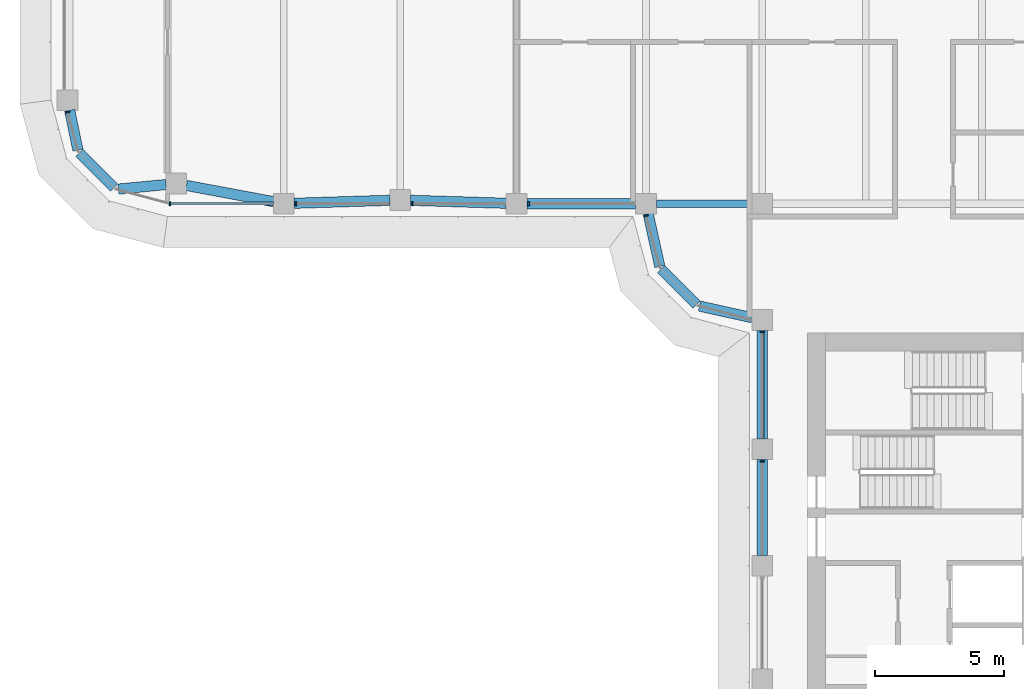
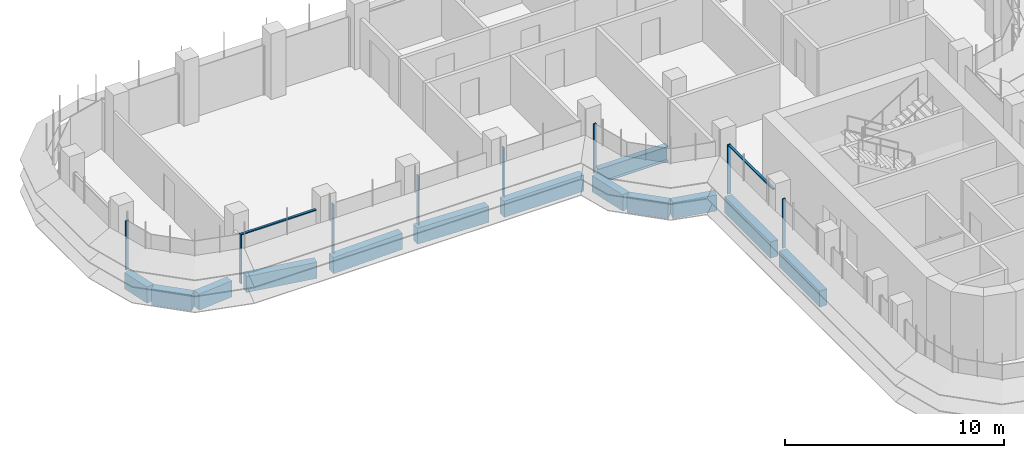
# One storey, part 3 of 20: 13 beams, 10 members, 4 elements without a shape of their own.
"""IFC4 building model written with IfcOpenShell, lengths in metres."""

from ifc_helpers import new_model, si_unit, direction, frame, origin, origin_2d, place, context, subcontext, project, spatial, polyline, rectangle, i_section, outline, extrude, source, transform, mapped, material, material_profile, profile_set, type_object, element, aggregate, save


model = new_model("IFC4")

# Units and contexts
model_context = context("Model", 3, precision=1e-05, world=origin(), true_north=direction((0.0, 1.0)))
body_context = subcontext(model_context, "Body", "Model", "MODEL_VIEW")
ifc_project = project(units=[si_unit("LENGTHUNIT", "METRE"), si_unit("AREAUNIT", "SQUARE_METRE"), si_unit("VOLUMEUNIT", "CUBIC_METRE"), si_unit("PLANEANGLEUNIT", "RADIAN"), si_unit("MASSUNIT", "GRAM", prefix="KILO")], contexts=[model_context])

# Site, building, storey
site_placement = place(None, origin())
site = spatial("IfcSite", under=ifc_project, at=site_placement, CompositionType="ELEMENT")
building_placement = place(site_placement, origin())
building = spatial("IfcBuilding", under=site, at=building_placement, Name="Zarbagh Exchange Tower", CompositionType="ELEMENT")
storey_placement = place(building_placement, frame((0.0, 0.0, 148.60009765625)))
storey = spatial("IfcBuildingStorey", under=building, at=storey_placement, Name="L35", CompositionType="ELEMENT", Elevation=148.60009765625)

# Beams
ifc_material_1 = material(Name="Steel ASTM A992 Gr 50", Category="steel")
ifc_material_profile_1 = material_profile(ifc_material_1, i_section(OverallWidth=0.2919921875, OverallDepth=0.835693359375, WebThickness=0.013916015625, FlangeThickness=0.018798828125, at=origin_2d()), Name="W33X118")
ifc_profile_set_1 = profile_set([ifc_material_profile_1], Name="Steel ASTM A992 Gr 50")
beam_type_1 = type_object("IfcBeamType", Name="Floor girder W33X118", PredefinedType="BEAM", material=ifc_profile_set_1)
beam_1_placement = place(storey_placement, frame((-10.35009765625, -6.25, -0.56787109375), z_axis=(1.0, 0.0, 0.0), x_axis=(0.0, 1.0, 0.0)))
element("IfcBeam", 1, at=beam_1_placement, inside=storey, type_object=beam_type_1, Name="Steel girder", PredefinedType="BEAM", context=body_context, shape_type="SweptSolid", body=[
    extrude(i_section(OverallWidth=0.2919921875, OverallDepth=0.835693359375, WebThickness=0.013916015625, FlangeThickness=0.018798828125, at=origin_2d()), origin(), (0.0, 0.0, 1.0), 3.7001953125),
])
ifc_material_2 = material(Name="Concrete C50/60", Category="concrete")
ifc_material_profile_2 = material_profile(ifc_material_2, rectangle(XDim=0.39990234375, YDim=0.89990234375, at=origin_2d()), Name="RC spandrel beam 400 x 900 C50/60")
ifc_profile_set_2 = profile_set([ifc_material_profile_2], Name="Concrete C50/60")
beam_type_2 = type_object("IfcBeamType", Name="RC spandrel beam 400 x 900 C50/60", PredefinedType="SPANDREL", material=ifc_profile_set_2)
beam_2_placement = place(storey_placement, frame((-6.25, -19.85009765625, -0.60009765625), z_axis=(0.0, 1.0, 0.0), x_axis=(-1.0, 0.0, 0.0)))
element("IfcBeam", 2, at=beam_2_placement, inside=storey, type_object=beam_type_2, Name="RC spandrel beam", PredefinedType="SPANDREL", context=body_context, shape_type="SweptSolid", body=[
    extrude(rectangle(XDim=0.39990234375, YDim=0.89990234375, at=origin_2d()), origin(), (0.0, 0.0, 1.0), 3.7001953125),
])
beam_3_placement = place(storey_placement, frame((-6.25, -15.35009765625, -0.60009765625), z_axis=(0.0, 1.0, 0.0), x_axis=(-1.0, 0.0, 0.0)))
element("IfcBeam", 3, at=beam_3_placement, inside=storey, type_object=beam_type_2, Name="RC spandrel beam", PredefinedType="SPANDREL", context=body_context, shape_type="SweptSolid", body=[
    extrude(rectangle(XDim=0.39990234375, YDim=0.89990234375, at=origin_2d()), origin(), (0.0, 0.0, 1.0), 4.2001953125),
])
beam_4_placement = place(storey_placement, frame((-6.640625, -10.66357421875, -0.60009765625), z_axis=(-0.976384278741, 0.216041061437, 0.0), x_axis=(-0.216041061437, -0.976384278741, 0.0)))
element("IfcBeam", 4, at=beam_4_placement, inside=storey, type_object=beam_type_2, Name="RC spandrel beam", PredefinedType="SPANDREL", context=body_context, shape_type="SweptSolid", body=[
    extrude(rectangle(XDim=0.39990234375, YDim=0.89990234375, at=origin_2d()), origin(), (0.0, 0.0, 1.0), 2.0927734375),
])
beam_5_placement = place(storey_placement, frame((-8.782470703125, -10.15771484375, -0.60009765625), z_axis=(-0.707106781187, 0.707106781187, 0.0), x_axis=(-0.707106781187, -0.707106781187, 0.0)))
element("IfcBeam", 5, at=beam_5_placement, inside=storey, type_object=beam_type_2, Name="RC spandrel beam", PredefinedType="SPANDREL", context=body_context, shape_type="SweptSolid", body=[
    extrude(rectangle(XDim=0.39990234375, YDim=0.89990234375, at=origin_2d()), origin(), (0.0, 0.0, 1.0), 1.94482421875),
])
beam_6_placement = place(storey_placement, frame((-10.21142578125, -8.68408203125, -0.60009765625), z_axis=(-0.216041061437, 0.976384278741, 0.0), x_axis=(-0.976384278741, -0.216041061437, 0.0)))
element("IfcBeam", 6, at=beam_6_placement, inside=storey, type_object=beam_type_2, Name="RC spandrel beam", PredefinedType="SPANDREL", context=body_context, shape_type="SweptSolid", body=[
    extrude(rectangle(XDim=0.39990234375, YDim=0.89990234375, at=origin_2d()), origin(), (0.0, 0.0, 1.0), 2.0927734375),
])
beam_7_placement = place(storey_placement, frame((-11.14990234375, -6.25, -0.60009765625), z_axis=(-1.0, 0.0, 0.0), x_axis=(0.0, -1.0, 0.0)))
element("IfcBeam", 7, at=beam_7_placement, inside=storey, type_object=beam_type_2, Name="RC spandrel beam", PredefinedType="SPANDREL", context=body_context, shape_type="SweptSolid", body=[
    extrude(rectangle(XDim=0.39990234375, YDim=0.89990234375, at=origin_2d()), origin(), (0.0, 0.0, 1.0), 4.2001953125),
])
for number, where, z_axis, x_axis, name in (
    (8, (-16.14990234375, -6.237548828125, -0.60009765625), (-0.999515416033, 0.031127690444, 0.0), (-0.031127690444, -0.999515416033, 0.0), "RC spandrel beam"),
    (9, (-20.64990234375, -6.122314453125, -0.60009765625), (-0.999515416033, -0.031127690444, 0.0), (0.031127690444, -0.999515416033, 0.0), "RC spandrel beam"),
):
    element("IfcBeam", number, at=place(storey_placement, frame(where, z_axis=z_axis, x_axis=x_axis)), inside=storey, type_object=beam_type_2, Name=name, PredefinedType="SPANDREL", context=body_context, shape_type="SweptSolid", body=[
        extrude(rectangle(XDim=0.39990234375, YDim=0.89990234375, at=origin_2d()), origin(), (0.0, 0.0, 1.0), 3.701904296875),
    ])
beam_8_placement = place(storey_placement, frame((-25.143310546875, -6.1767578125, -0.60009765625), z_axis=(-0.983069862768, 0.183231124313, 0.0), x_axis=(-0.183231124313, -0.983069862768, 0.0)))
element("IfcBeam", 10, at=beam_8_placement, inside=storey, type_object=beam_type_2, Name="RC spandrel beam", PredefinedType="SPANDREL", context=body_context, shape_type="SweptSolid", body=[
    extrude(rectangle(XDim=0.39990234375, YDim=0.89990234375, at=origin_2d()), origin(), (0.0, 0.0, 1.0), 3.4296875),
])
beam_9_placement = place(storey_placement, frame((-29.30615234375, -5.51318359375, -0.60009765625), z_axis=(-0.995435353267, -0.095438239015, 0.0), x_axis=(0.095438239015, -0.995435353267, 0.0)))
element("IfcBeam", 11, at=beam_9_placement, inside=storey, type_object=beam_type_2, Name="RC spandrel beam", PredefinedType="SPANDREL", context=body_context, shape_type="SweptSolid", body=[
    extrude(rectangle(XDim=0.39990234375, YDim=0.89990234375, at=origin_2d()), origin(), (0.0, 0.0, 1.0), 1.849609375),
])
beam_10_placement = place(storey_placement, frame((-31.307861328125, -5.632080078125, -0.60009765625), z_axis=(-0.707106781187, 0.707106781187, 0.0), x_axis=(-0.707106781187, -0.707106781187, 0.0)))
element("IfcBeam", 12, at=beam_10_placement, inside=storey, type_object=beam_type_2, Name="RC spandrel beam", PredefinedType="SPANDREL", context=body_context, shape_type="SweptSolid", body=[
    extrude(rectangle(XDim=0.39990234375, YDim=0.89990234375, at=origin_2d()), origin(), (0.0, 0.0, 1.0), 1.9072265625),
])
beam_11_placement = place(storey_placement, frame((-32.7109375, -4.1826171875, -0.60009765625), z_axis=(-0.20216948151, 0.979350550491, 0.0), x_axis=(-0.979350550491, -0.20216948151, 0.0)))
element("IfcBeam", 13, at=beam_11_placement, inside=storey, type_object=beam_type_2, Name="RC spandrel beam", PredefinedType="SPANDREL", context=body_context, shape_type="SweptSolid", body=[
    extrude(rectangle(XDim=0.39990234375, YDim=0.89990234375, at=origin_2d()), origin(), (0.0, 0.0, 1.0), 1.573486328125),
])

# Curtain wall, member
ifc_material_3 = material(Name="Anodised aluminium frame and glazing", Category="aluminium")
curtain_wall_type = type_object("IfcCurtainWallType", Name="CWB Ribbon glazing, upper zones", PredefinedType="NOTDEFINED", material=ifc_material_3)
curtain_wall_1_placement = place(storey_placement, origin())
curtain_wall_1 = element("IfcCurtainWall", 14, at=curtain_wall_1_placement, inside=storey, type_object=curtain_wall_type, Name="CWB37 curtain wall", PredefinedType="NOTDEFINED")
ifc_material_4 = material(Name="Anodised aluminium frame", Category="aluminium")
member_type_1 = type_object("IfcMemberType", Name="MUB Mullion, anodised aluminium frame", PredefinedType="MULLION", material=ifc_material_4)
shared_shape_1 = source(origin(), body_context, "Body", "SweptSolid", [
    extrude(outline(polyline([(0.0, -0.080078125), (0.06005859375, -0.080078125), (0.06005859375, 0.080078125), (0.0, 0.080078125), (0.0, -0.080078125)])), origin(), (0.0, 0.0, 1.0), 2.75),
])
placement = place(storey_placement, origin())
member_1 = element("IfcMember", 15, at=placement, type_object=member_type_1, Name="CWB37 mullion 1.1", PredefinedType="MULLION", context=body_context, shape_type="MappedRepresentation", body=[
    mapped(shared_shape_1, transform((-33.114501953125, -2.68994140625, 0.0), x_axis=(0.258824779902, -0.965924289636, 0.0), y_axis=(0.965924289636, 0.258824779902, 0.0), z_axis=(0.0, 0.0, 1.0))),
])
aggregate(curtain_wall_1, [member_1])

# Curtain wall, members
curtain_wall_2_placement = place(storey_placement, origin())
curtain_wall_2 = element("IfcCurtainWall", 16, at=curtain_wall_2_placement, inside=storey, type_object=curtain_wall_type, Name="CWB40 curtain wall", PredefinedType="NOTDEFINED")
member_2 = element("IfcMember", 17, at=placement, type_object=member_type_1, Name="CWB40 mullion 1.1", PredefinedType="MULLION", context=body_context, shape_type="MappedRepresentation", body=[
    mapped(shared_shape_1, transform((-29.18408203125, -6.25, 0.0), x_axis=(1.0, 0.0, 0.0), y_axis=(0.0, 1.0, 0.0), z_axis=(0.0, 0.0, 1.0))),
])
member_3 = element("IfcMember", 18, at=placement, type_object=member_type_1, Name="CWB40 mullion 2.1", PredefinedType="MULLION", context=body_context, shape_type="MappedRepresentation", body=[
    mapped(shared_shape_1, transform((-24.31005859375, -6.25, 0.0), x_axis=(1.0, 0.0, 0.0), y_axis=(0.0, 1.0, 0.0), z_axis=(0.0, 0.0, 1.0))),
])
member_4 = element("IfcMember", 19, at=placement, type_object=member_type_1, Name="CWB40 mullion 3.1", PredefinedType="MULLION", context=body_context, shape_type="MappedRepresentation", body=[
    mapped(shared_shape_1, transform((-19.81005859375, -6.25, 0.0), x_axis=(1.0, 0.0, 0.0), y_axis=(0.0, 1.0, 0.0), z_axis=(0.0, 0.0, 1.0))),
])
member_5 = element("IfcMember", 20, at=placement, type_object=member_type_1, Name="CWB40 mullion 4.1", PredefinedType="MULLION", context=body_context, shape_type="MappedRepresentation", body=[
    mapped(shared_shape_1, transform((-15.31005859375, -6.25, 0.0), x_axis=(1.0, 0.0, 0.0), y_axis=(0.0, 1.0, 0.0), z_axis=(0.0, 0.0, 1.0))),
])

# Curtain wall, member
curtain_wall_3_placement = place(storey_placement, origin())
curtain_wall_3 = element("IfcCurtainWall", 21, at=curtain_wall_3_placement, inside=storey, type_object=curtain_wall_type, Name="CWB41 curtain wall", PredefinedType="NOTDEFINED")
member_6 = element("IfcMember", 22, at=placement, type_object=member_type_1, Name="CWB41 mullion 1.1", PredefinedType="MULLION", context=body_context, shape_type="MappedRepresentation", body=[
    mapped(shared_shape_1, transform((-10.74853515625, -6.68994140625, 0.0), x_axis=(0.258824779902, -0.965924289636, 0.0), y_axis=(0.965924289636, 0.258824779902, 0.0), z_axis=(0.0, 0.0, 1.0))),
])
aggregate(curtain_wall_3, [member_6])

# Curtain wall, members
curtain_wall_4_placement = place(storey_placement, origin())
curtain_wall_4 = element("IfcCurtainWall", 23, at=curtain_wall_4_placement, inside=storey, type_object=curtain_wall_type, Name="CWB44 curtain wall", PredefinedType="NOTDEFINED")
member_7 = element("IfcMember", 24, at=placement, type_object=member_type_1, Name="CWB44 mullion 1.1", PredefinedType="MULLION", context=body_context, shape_type="MappedRepresentation", body=[
    mapped(shared_shape_1, transform((-6.25, -11.18994140625, 0.0), x_axis=(0.0, -1.0, 0.0), y_axis=(1.0, 0.0, 0.0), z_axis=(0.0, 0.0, 1.0))),
])
member_8 = element("IfcMember", 25, at=placement, type_object=member_type_1, Name="CWB44 mullion 2.1", PredefinedType="MULLION", context=body_context, shape_type="MappedRepresentation", body=[
    mapped(shared_shape_1, transform((-6.25, -16.18994140625, 0.0), x_axis=(0.0, -1.0, 0.0), y_axis=(1.0, 0.0, 0.0), z_axis=(0.0, 0.0, 1.0))),
])
member_type_2 = type_object("IfcMemberType", Name="TRB Transom, anodised aluminium frame", PredefinedType="USERDEFINED", material=ifc_material_4)
shared_shape_2 = source(origin(), body_context, "Body", "SweptSolid", [
    extrude(outline(polyline([(-0.06005859375, -0.06005859375), (0.0, -0.06005859375), (0.0, 0.06005859375), (-0.06005859375, 0.06005859375), (-0.06005859375, -0.06005859375)])), origin(), (0.0, 0.0, 1.0), 4.06005859375),
])
member_9 = element("IfcMember", 26, at=placement, type_object=member_type_2, Name="CWB44 transom 1.1", ObjectType="TRANSOM", PredefinedType="USERDEFINED", context=body_context, shape_type="MappedRepresentation", body=[
    mapped(shared_shape_2, transform((-6.25, -11.25, 2.75), x_axis=(0.0, 0.0, 1.0), y_axis=(-1.0, 0.0, 0.0), z_axis=(0.0, -1.0, 0.0))),
])
aggregate(curtain_wall_4, [member_7, member_9, member_8])

# Member
shared_shape_3 = source(origin(), body_context, "Body", "SweptSolid", [
    extrude(outline(polyline([(-0.06005859375, -0.06005859375), (0.0, -0.06005859375), (0.0, 0.06005859375), (-0.06005859375, 0.06005859375), (-0.06005859375, -0.06005859375)])), origin(), (0.0, 0.0, 1.0), 3.93408203125),
])
member_10 = element("IfcMember", 27, at=placement, type_object=member_type_2, Name="CWB40 transom 1.1", ObjectType="TRANSOM", PredefinedType="USERDEFINED", context=body_context, shape_type="MappedRepresentation", body=[
    mapped(shared_shape_3, transform((-29.124267578125, -6.25, 2.75), x_axis=(0.0, 0.0, 1.0), y_axis=(0.0, -1.0, 0.0), z_axis=(1.0, 0.0, 0.0))),
])

aggregate(curtain_wall_2, [member_2, member_10, member_3, member_4, member_5])

save(model, "model.ifc")
